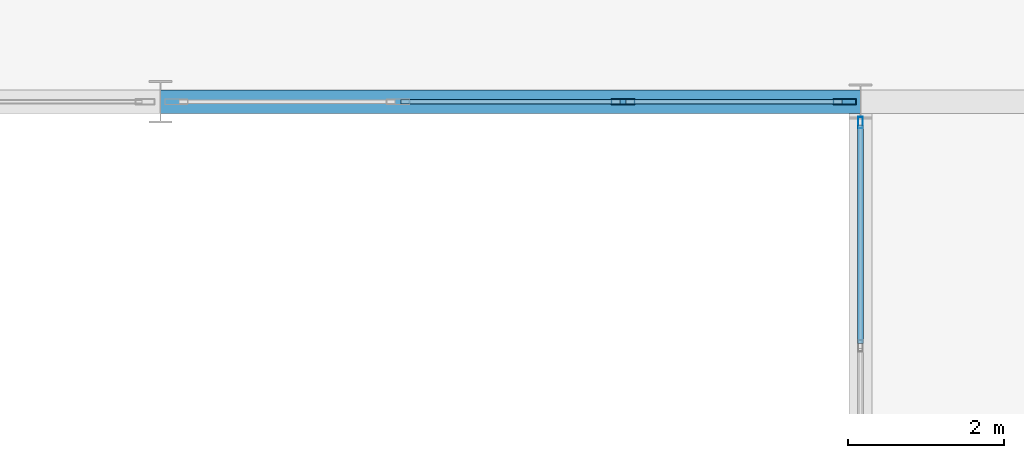
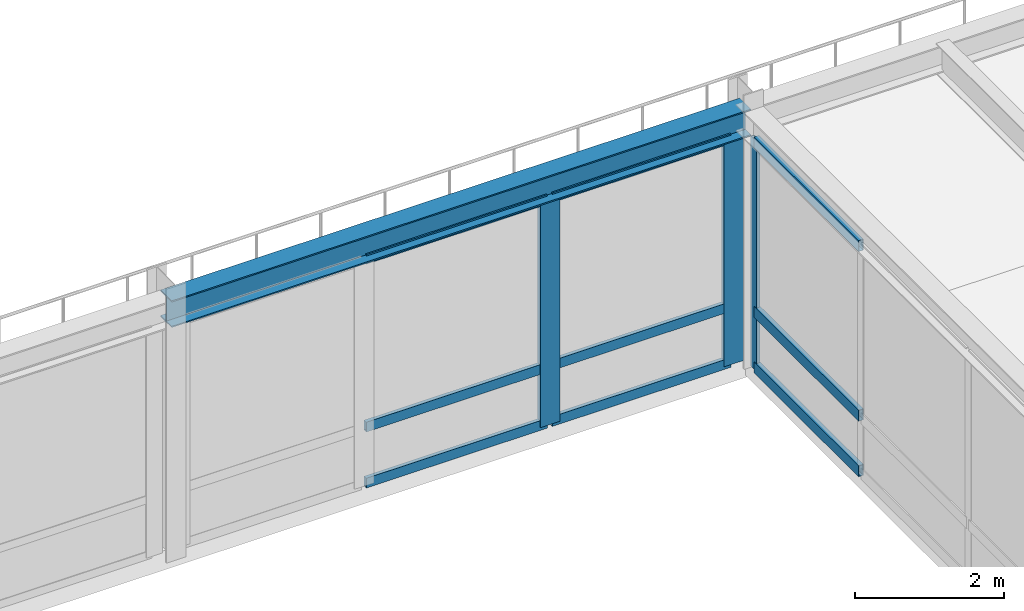
# One storey, part 54 of 127: 12 members, 1 beam, 2 elements without a shape of their own.
"""IFC4 building model written with IfcOpenShell, lengths in metres."""

from ifc_helpers import new_model, si_unit, direction, frame, origin, origin_2d, place, context, subcontext, project, spatial, hollow_rectangle, i_section, extrude, material, layer, layer_set, material_profile, profile_set, type_object, element, aggregate, save


model = new_model("IFC4")

# Units and contexts
model_context = context("Model", 3, precision=1e-05, world=origin(), true_north=direction((0.0, 1.0)))
body_context = subcontext(model_context, "Body", "Model", "MODEL_VIEW")
ifc_project = project(units=[si_unit("LENGTHUNIT", "METRE"), si_unit("AREAUNIT", "SQUARE_METRE"), si_unit("VOLUMEUNIT", "CUBIC_METRE"), si_unit("PLANEANGLEUNIT", "RADIAN"), si_unit("MASSUNIT", "GRAM", prefix="KILO")], contexts=[model_context])

# Site, building, storey
site_placement = place(None, origin())
site = spatial("IfcSite", under=ifc_project, at=site_placement, CompositionType="ELEMENT")
building_placement = place(site_placement, origin())
building = spatial("IfcBuilding", under=site, at=building_placement, Name="Montelvaro Courts of Justice", CompositionType="ELEMENT")
storey_placement = place(building_placement, frame((0.0, 0.0, 5.39990234375)))
storey = spatial("IfcBuildingStorey", under=building, at=storey_placement, Name="L01", CompositionType="ELEMENT", Elevation=5.39990234375)

# Beam
ifc_material_1 = material(Name="Steel S355", Category="steel")
ifc_material_profile_1 = material_profile(ifc_material_1, i_section(OverallWidth=0.300048828125, OverallDepth=0.43994140625, WebThickness=0.011474609375, FlangeThickness=0.02099609375, at=origin_2d()), Name="HEA 450")
ifc_profile_set_1 = profile_set([ifc_material_profile_1], Name="Steel S355")
beam_type = type_object("IfcBeamType", Name="Beam_HEA450", PredefinedType="USERDEFINED", material=ifc_profile_set_1)
beam_placement = place(storey_placement, frame((45.0, 78.0, 3.960205078125), z_axis=(1.0, 0.0, 0.0), x_axis=(0.0, 1.0, 0.0)))
element("IfcBeam", 1, at=beam_placement, inside=storey, type_object=beam_type, Name="Beam B-18 L01", ObjectType="GIRDER", PredefinedType="USERDEFINED", context=body_context, shape_type="SweptSolid", body=[
    extrude(i_section(OverallWidth=0.300048828125, OverallDepth=0.43994140625, WebThickness=0.011474609375, FlangeThickness=0.02099609375, at=origin_2d()), origin(), (0.0, 0.0, 1.0), 9.0),
])

# Curtain wall, member
ifc_material_2 = material(Name="Anodised aluminium EN AW-6063", Category="aluminium")
ifc_layer_1 = layer(ifc_material_2, 0.159912109375)
ifc_layer_set_1 = layer_set([ifc_layer_1], Name="Anodised aluminium EN AW-6063")
curtain_wall_type_1 = type_object("IfcCurtainWallType", Name="CurtainWall_19_1159x418", PredefinedType="USERDEFINED", material=ifc_layer_set_1)
curtain_wall_1_placement = place(storey_placement, origin())
curtain_wall_1 = element("IfcCurtainWall", 2, at=curtain_wall_1_placement, inside=storey, type_object=curtain_wall_type_1, Name="Curtain Wall CW-19 (L01)", ObjectType="CURTAIN WALL", PredefinedType="USERDEFINED")
ifc_material_profile_2 = material_profile(ifc_material_2, hollow_rectangle(XDim=0.06005859375, YDim=0.14990234375, WallThickness=0.00390625, at=origin_2d()), Name="ALU-M 60x150")
ifc_profile_set_2 = profile_set([ifc_material_profile_2], Name="Anodised aluminium EN AW-6063")
member_type_1 = type_object("IfcMemberType", Name="CurtainWall_Mullion_60x150", PredefinedType="MULLION", material=ifc_profile_set_2)
member_1_placement = place(storey_placement, frame((54.0, 77.72998046875, 0.0), z_axis=(0.0, 0.0, 1.0), x_axis=(1.0, 0.0, 0.0)))
member_1 = element("IfcMember", 3, at=member_1_placement, type_object=member_type_1, Name="CW-19 mullion 1", PredefinedType="MULLION", context=body_context, shape_type="SweptSolid", body=[
    extrude(hollow_rectangle(XDim=0.06005859375, YDim=0.14990234375, WallThickness=0.00390625, at=origin_2d()), origin(), (0.0, 0.0, 1.0), 3.775146484375),
])

# Curtain wall, members
ifc_layer_2 = layer(ifc_material_2, 0.159912109375)
ifc_layer_set_2 = layer_set([ifc_layer_2], Name="Anodised aluminium EN AW-6063")
curtain_wall_type_2 = type_object("IfcCurtainWallType", Name="CurtainWall_14_867x418", PredefinedType="USERDEFINED", material=ifc_layer_set_2)
curtain_wall_2_placement = place(storey_placement, origin())
curtain_wall_2 = element("IfcCurtainWall", 4, at=curtain_wall_2_placement, inside=storey, type_object=curtain_wall_type_2, Name="Curtain Wall CW-14 (L01)", ObjectType="CURTAIN WALL", PredefinedType="USERDEFINED")
ifc_material_profile_3 = material_profile(ifc_material_2, hollow_rectangle(XDim=0.074951171875, YDim=0.300048828125, WallThickness=0.006103515625, at=origin_2d()), Name="ALU-M 75x300")
ifc_profile_set_3 = profile_set([ifc_material_profile_3], Name="Anodised aluminium EN AW-6063")
member_type_2 = type_object("IfcMemberType", Name="CurtainWall_Mullion_75x300", PredefinedType="MULLION", material=ifc_profile_set_3)
member_2_placement = place(storey_placement, frame((50.945068359375, 78.0, 0.0), z_axis=(0.0, 0.0, 1.0), x_axis=(0.0, 1.0, 0.0)))
member_2 = element("IfcMember", 5, at=member_2_placement, type_object=member_type_2, Name="CW-14 mullion 3", PredefinedType="MULLION", context=body_context, shape_type="SweptSolid", body=[
    extrude(hollow_rectangle(XDim=0.074951171875, YDim=0.300048828125, WallThickness=0.006103515625, at=origin_2d()), origin(), (0.0, 0.0, 1.0), 3.735107421875),
])
member_3_placement = place(storey_placement, frame((53.797607421875, 78.0, 0.0), z_axis=(0.0, 0.0, 1.0), x_axis=(0.0, 1.0, 0.0)))
member_3 = element("IfcMember", 6, at=member_3_placement, type_object=member_type_2, Name="CW-14 mullion 4", PredefinedType="MULLION", context=body_context, shape_type="SweptSolid", body=[
    extrude(hollow_rectangle(XDim=0.074951171875, YDim=0.300048828125, WallThickness=0.006103515625, at=origin_2d()), origin(), (0.0, 0.0, 1.0), 3.735107421875),
])
ifc_material_profile_4 = material_profile(ifc_material_2, hollow_rectangle(XDim=0.06005859375, YDim=0.159912109375, WallThickness=0.00439453125, at=origin_2d()), Name="ALU-T 60x160")
ifc_profile_set_4 = profile_set([ifc_material_profile_4], Name="Anodised aluminium EN AW-6063")
member_type_3 = type_object("IfcMemberType", Name="CurtainWall_Transom_60x160", PredefinedType="USERDEFINED", material=ifc_profile_set_4)
member_4_placement = place(storey_placement, frame((48.092529296875, 78.0, 0.030029296875), z_axis=(1.0, 0.0, 0.0), x_axis=(0.0, 1.0, 0.0)))
member_4 = element("IfcMember", 7, at=member_4_placement, type_object=member_type_3, Name="CW-14 transom 2.1", ObjectType="TRANSOM", PredefinedType="USERDEFINED", context=body_context, shape_type="SweptSolid", body=[
    extrude(hollow_rectangle(XDim=0.06005859375, YDim=0.159912109375, WallThickness=0.00439453125, at=origin_2d()), origin(), (0.0, 0.0, 1.0), 2.81494140625),
])
member_5_placement = place(storey_placement, frame((48.092529296875, 78.0, 0.9501953125), z_axis=(1.0, 0.0, 0.0), x_axis=(0.0, 1.0, 0.0)))
member_5 = element("IfcMember", 8, at=member_5_placement, type_object=member_type_3, Name="CW-14 transom 2.2", ObjectType="TRANSOM", PredefinedType="USERDEFINED", context=body_context, shape_type="SweptSolid", body=[
    extrude(hollow_rectangle(XDim=0.06005859375, YDim=0.159912109375, WallThickness=0.00439453125, at=origin_2d()), origin(), (0.0, 0.0, 1.0), 2.81494140625),
])
member_6_placement = place(storey_placement, frame((48.092529296875, 78.0, 3.705078125), z_axis=(1.0, 0.0, 0.0), x_axis=(0.0, 1.0, 0.0)))
member_6 = element("IfcMember", 9, at=member_6_placement, type_object=member_type_3, Name="CW-14 transom 2.3", ObjectType="TRANSOM", PredefinedType="USERDEFINED", context=body_context, shape_type="SweptSolid", body=[
    extrude(hollow_rectangle(XDim=0.06005859375, YDim=0.159912109375, WallThickness=0.00439453125, at=origin_2d()), origin(), (0.0, 0.0, 1.0), 2.81494140625),
])
member_7_placement = place(storey_placement, frame((50.982421875, 78.0, 0.030029296875), z_axis=(1.0, 0.0, 0.0), x_axis=(0.0, 1.0, 0.0)))
member_7 = element("IfcMember", 10, at=member_7_placement, type_object=member_type_3, Name="CW-14 transom 3.1", ObjectType="TRANSOM", PredefinedType="USERDEFINED", context=body_context, shape_type="SweptSolid", body=[
    extrude(hollow_rectangle(XDim=0.06005859375, YDim=0.159912109375, WallThickness=0.00439453125, at=origin_2d()), origin(), (0.0, 0.0, 1.0), 2.777587890625),
])
member_8_placement = place(storey_placement, frame((50.982421875, 78.0, 0.9501953125), z_axis=(1.0, 0.0, 0.0), x_axis=(0.0, 1.0, 0.0)))
member_8 = element("IfcMember", 11, at=member_8_placement, type_object=member_type_3, Name="CW-14 transom 3.2", ObjectType="TRANSOM", PredefinedType="USERDEFINED", context=body_context, shape_type="SweptSolid", body=[
    extrude(hollow_rectangle(XDim=0.06005859375, YDim=0.159912109375, WallThickness=0.00439453125, at=origin_2d()), origin(), (0.0, 0.0, 1.0), 2.777587890625),
])
member_9_placement = place(storey_placement, frame((50.982421875, 78.0, 3.705078125), z_axis=(1.0, 0.0, 0.0), x_axis=(0.0, 1.0, 0.0)))
member_9 = element("IfcMember", 12, at=member_9_placement, type_object=member_type_3, Name="CW-14 transom 3.3", ObjectType="TRANSOM", PredefinedType="USERDEFINED", context=body_context, shape_type="SweptSolid", body=[
    extrude(hollow_rectangle(XDim=0.06005859375, YDim=0.159912109375, WallThickness=0.00439453125, at=origin_2d()), origin(), (0.0, 0.0, 1.0), 2.777587890625),
])
aggregate(curtain_wall_2, [member_2, member_3, member_4, member_5, member_6, member_7, member_8, member_9])

# Member
ifc_material_profile_5 = material_profile(ifc_material_2, hollow_rectangle(XDim=0.074951171875, YDim=0.179931640625, WallThickness=0.0048828125, at=origin_2d()), Name="ALU-T 75x180")
ifc_profile_set_5 = profile_set([ifc_material_profile_5], Name="Anodised aluminium EN AW-6063")
member_type_4 = type_object("IfcMemberType", Name="CurtainWall_Transom_75x180", PredefinedType="USERDEFINED", material=ifc_profile_set_5)
member_10_placement = place(storey_placement, frame((54.0, 77.699951171875, 0.03759765625), z_axis=(0.0, -1.0, 0.0), x_axis=(1.0, 0.0, 0.0)))
member_10 = element("IfcMember", 13, at=member_10_placement, type_object=member_type_4, Name="CW-19 transom 1.1", ObjectType="TRANSOM", PredefinedType="USERDEFINED", context=body_context, shape_type="SweptSolid", body=[
    extrude(hollow_rectangle(XDim=0.074951171875, YDim=0.179931640625, WallThickness=0.0048828125, at=origin_2d()), origin(), (0.0, 0.0, 1.0), 2.811279296875),
])

member_11_placement = place(storey_placement, frame((54.0, 77.699951171875, 0.9501953125), z_axis=(0.0, -1.0, 0.0), x_axis=(1.0, 0.0, 0.0)))
member_11 = element("IfcMember", 14, at=member_11_placement, type_object=member_type_4, Name="CW-19 transom 1.2", ObjectType="TRANSOM", PredefinedType="USERDEFINED", context=body_context, shape_type="SweptSolid", body=[
    extrude(hollow_rectangle(XDim=0.074951171875, YDim=0.179931640625, WallThickness=0.0048828125, at=origin_2d()), origin(), (0.0, 0.0, 1.0), 2.811279296875),
])

member_12_placement = place(storey_placement, frame((54.0, 77.699951171875, 3.737548828125), z_axis=(0.0, -1.0, 0.0), x_axis=(1.0, 0.0, 0.0)))
member_12 = element("IfcMember", 15, at=member_12_placement, type_object=member_type_4, Name="CW-19 transom 1.3", ObjectType="TRANSOM", PredefinedType="USERDEFINED", context=body_context, shape_type="SweptSolid", body=[
    extrude(hollow_rectangle(XDim=0.074951171875, YDim=0.179931640625, WallThickness=0.0048828125, at=origin_2d()), origin(), (0.0, 0.0, 1.0), 2.811279296875),
])

aggregate(curtain_wall_1, [member_1, member_10, member_11, member_12])

save(model, "model.ifc")
